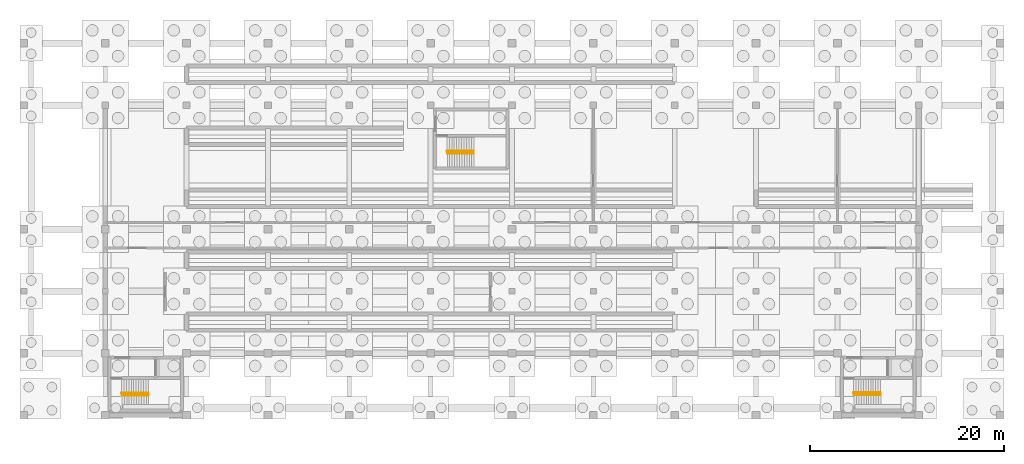
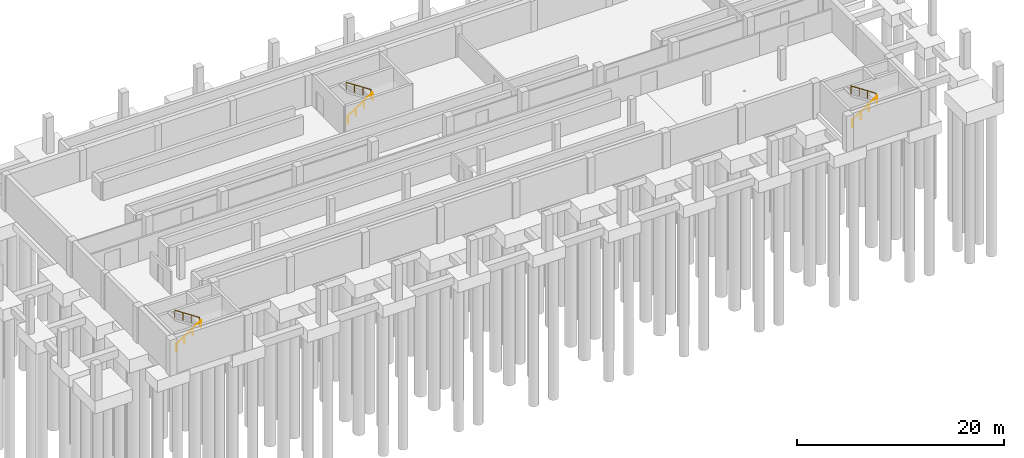
# One storey, part 8 of 9: 6 railings.
"""IFC4 building model written with IfcOpenShell, lengths in metres."""

from ifc_helpers import new_model, si_unit, direction, frame, origin, origin_2d, place, context, subcontext, project, spatial, circle, extrude, material, type_object, element, save


model = new_model("IFC4")

# Units and contexts
model_context = context("Model", 3, precision=1e-05, world=origin(), true_north=direction((0.0, 1.0)))
body_context = subcontext(model_context, "Body", "Model", "MODEL_VIEW")
ifc_project = project(units=[si_unit("LENGTHUNIT", "METRE"), si_unit("AREAUNIT", "SQUARE_METRE"), si_unit("VOLUMEUNIT", "CUBIC_METRE"), si_unit("PLANEANGLEUNIT", "RADIAN"), si_unit("MASSUNIT", "GRAM", prefix="KILO")], contexts=[model_context])

# Site, building, storey
site_placement = place(None, origin())
site = spatial("IfcSite", under=ifc_project, at=site_placement, CompositionType="ELEMENT")
building_placement = place(site_placement, origin())
building = spatial("IfcBuilding", under=site, at=building_placement, Name="Kazenagashi Tramway Depot", CompositionType="ELEMENT")
storey_placement = place(building_placement, frame((0.0, 0.0, -4.0)))
storey = spatial("IfcBuildingStorey", under=building, at=storey_placement, Name="B01", CompositionType="ELEMENT", Elevation=-4.0)

# Railings
ifc_material = material(Name="Brushed Stainless Steel Handrail", Category="steel")
railing_type = type_object("IfcRailingType", Name="HR-01", PredefinedType="HANDRAIL", material=ifc_material)
railing_1_placement = place(storey_placement, frame((54.92, 18.52, 0.167)))
element("IfcRailing", 1, at=railing_1_placement, inside=storey, type_object=railing_type, Name="Stair ST-16 Lower Handrail", PredefinedType="HANDRAIL", context=body_context, shape_type="SweptSolid", body=[
    extrude(circle(Radius=0.024, at=origin_2d()), frame((0.0, 0.0, 0.876), z_axis=(0.830409981963, 0.0, 0.557152817327), x_axis=(0.0, 1.0, 0.0)), (0.0, 0.0, 1.0), 3.289941),
    extrude(circle(Radius=0.021, at=origin_2d()), origin(), (0.0, 0.0, 1.0), 0.852),
    extrude(circle(Radius=0.021, at=origin_2d()), frame((0.910667, 0.0, 0.611)), (0.0, 0.0, 1.0), 0.852),
    extrude(circle(Radius=0.021, at=origin_2d()), frame((1.821333, 0.0, 1.222)), (0.0, 0.0, 1.0), 0.852),
    extrude(circle(Radius=0.021, at=origin_2d()), frame((2.732, 0.0, 1.833)), (0.0, 0.0, 1.0), 0.852),
])
railing_2_placement = place(storey_placement, frame((57.652, 18.78, 2.167)))
element("IfcRailing", 2, at=railing_2_placement, inside=storey, type_object=railing_type, Name="Stair ST-16 Upper Handrail", PredefinedType="HANDRAIL", context=body_context, shape_type="SweptSolid", body=[
    extrude(circle(Radius=0.024, at=origin_2d()), frame((0.0, 0.0, 0.876), z_axis=(-0.834127662376, 0.0, 0.551571430424), x_axis=(0.0, -1.0, 0.0)), (0.0, 0.0, 1.0), 3.323232),
    extrude(circle(Radius=0.021, at=origin_2d()), origin(), (0.0, 0.0, 1.0), 0.852),
    extrude(circle(Radius=0.021, at=origin_2d()), frame((-0.924, 0.0, 0.611)), (0.0, 0.0, 1.0), 0.852),
    extrude(circle(Radius=0.021, at=origin_2d()), frame((-1.848, 0.0, 1.222)), (0.0, 0.0, 1.0), 0.852),
    extrude(circle(Radius=0.021, at=origin_2d()), frame((-2.772, 0.0, 1.833)), (0.0, 0.0, 1.0), 0.852),
])
railing_3_placement = place(storey_placement, frame((130.52, 18.57, 0.167)))
element("IfcRailing", 3, at=railing_3_placement, inside=storey, type_object=railing_type, Name="Stair ST-19 Lower Handrail", PredefinedType="HANDRAIL", context=body_context, shape_type="SweptSolid", body=[
    extrude(circle(Radius=0.024, at=origin_2d()), frame((0.0, 0.0, 0.876), z_axis=(0.830409981963, 0.0, 0.557152817327), x_axis=(0.0, 1.0, 0.0)), (0.0, 0.0, 1.0), 3.289941),
    extrude(circle(Radius=0.021, at=origin_2d()), origin(), (0.0, 0.0, 1.0), 0.852),
    extrude(circle(Radius=0.021, at=origin_2d()), frame((0.910667, 0.0, 0.611)), (0.0, 0.0, 1.0), 0.852),
    extrude(circle(Radius=0.021, at=origin_2d()), frame((1.821333, 0.0, 1.222)), (0.0, 0.0, 1.0), 0.852),
    extrude(circle(Radius=0.021, at=origin_2d()), frame((2.732, 0.0, 1.833)), (0.0, 0.0, 1.0), 0.852),
])
railing_4_placement = place(storey_placement, frame((133.252, 18.83, 2.167)))
element("IfcRailing", 4, at=railing_4_placement, inside=storey, type_object=railing_type, Name="Stair ST-19 Upper Handrail", PredefinedType="HANDRAIL", context=body_context, shape_type="SweptSolid", body=[
    extrude(circle(Radius=0.024, at=origin_2d()), frame((0.0, 0.0, 0.876), z_axis=(-0.834127662376, 0.0, 0.551571430424), x_axis=(0.0, -1.0, 0.0)), (0.0, 0.0, 1.0), 3.323232),
    extrude(circle(Radius=0.021, at=origin_2d()), origin(), (0.0, 0.0, 1.0), 0.852),
    extrude(circle(Radius=0.021, at=origin_2d()), frame((-0.924, 0.0, 0.611)), (0.0, 0.0, 1.0), 0.852),
    extrude(circle(Radius=0.021, at=origin_2d()), frame((-1.848, 0.0, 1.222)), (0.0, 0.0, 1.0), 0.852),
    extrude(circle(Radius=0.021, at=origin_2d()), frame((-2.772, 0.0, 1.833)), (0.0, 0.0, 1.0), 0.852),
])
railing_5_placement = place(storey_placement, frame((88.52, 43.52, 0.167)))
element("IfcRailing", 5, at=railing_5_placement, inside=storey, type_object=railing_type, Name="Stair ST-22 Lower Handrail", PredefinedType="HANDRAIL", context=body_context, shape_type="SweptSolid", body=[
    extrude(circle(Radius=0.024, at=origin_2d()), frame((0.0, 0.0, 0.876), z_axis=(0.830409981963, 0.0, 0.557152817327), x_axis=(0.0, 1.0, 0.0)), (0.0, 0.0, 1.0), 3.289941),
    extrude(circle(Radius=0.021, at=origin_2d()), origin(), (0.0, 0.0, 1.0), 0.852),
    extrude(circle(Radius=0.021, at=origin_2d()), frame((0.910667, 0.0, 0.611)), (0.0, 0.0, 1.0), 0.852),
    extrude(circle(Radius=0.021, at=origin_2d()), frame((1.821333, 0.0, 1.222)), (0.0, 0.0, 1.0), 0.852),
    extrude(circle(Radius=0.021, at=origin_2d()), frame((2.732, 0.0, 1.833)), (0.0, 0.0, 1.0), 0.852),
])
railing_6_placement = place(storey_placement, frame((91.252, 43.78, 2.167)))
element("IfcRailing", 6, at=railing_6_placement, inside=storey, type_object=railing_type, Name="Stair ST-22 Upper Handrail", PredefinedType="HANDRAIL", context=body_context, shape_type="SweptSolid", body=[
    extrude(circle(Radius=0.024, at=origin_2d()), frame((0.0, 0.0, 0.876), z_axis=(-0.834127662376, 0.0, 0.551571430424), x_axis=(0.0, -1.0, 0.0)), (0.0, 0.0, 1.0), 3.323232),
    extrude(circle(Radius=0.021, at=origin_2d()), origin(), (0.0, 0.0, 1.0), 0.852),
    extrude(circle(Radius=0.021, at=origin_2d()), frame((-0.924, 0.0, 0.611)), (0.0, 0.0, 1.0), 0.852),
    extrude(circle(Radius=0.021, at=origin_2d()), frame((-1.848, 0.0, 1.222)), (0.0, 0.0, 1.0), 0.852),
    extrude(circle(Radius=0.021, at=origin_2d()), frame((-2.772, 0.0, 1.833)), (0.0, 0.0, 1.0), 0.852),
])

save(model, "model.ifc")
